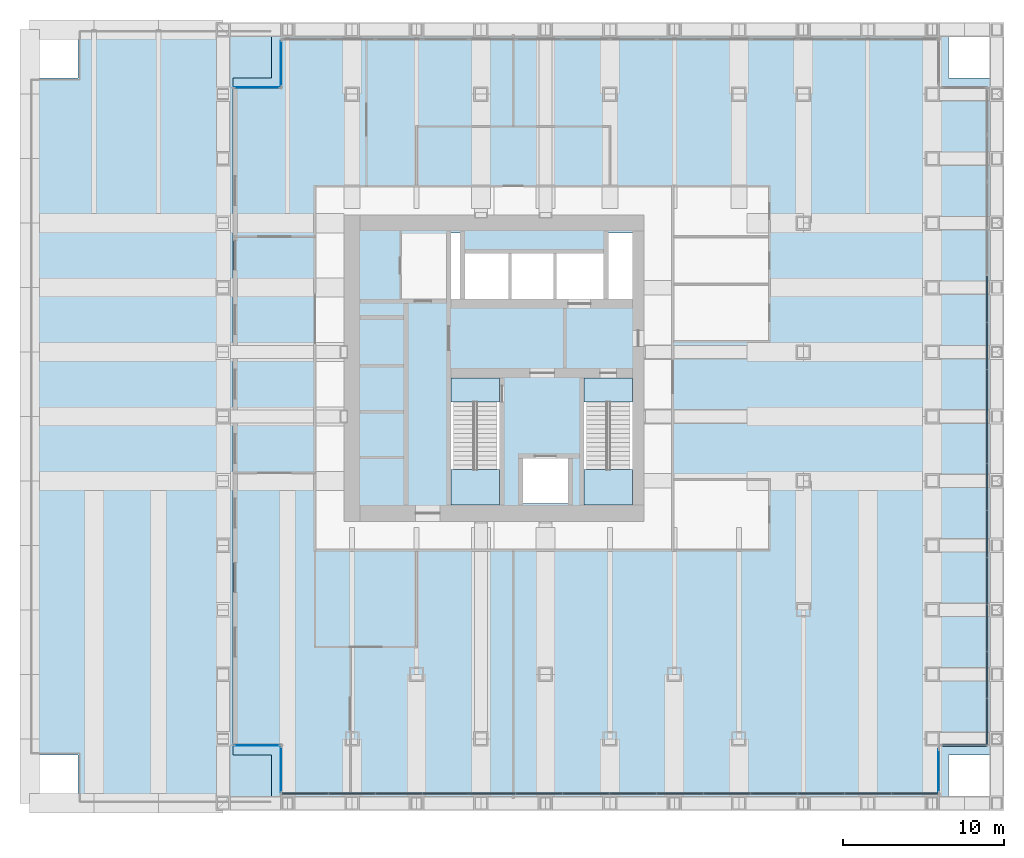
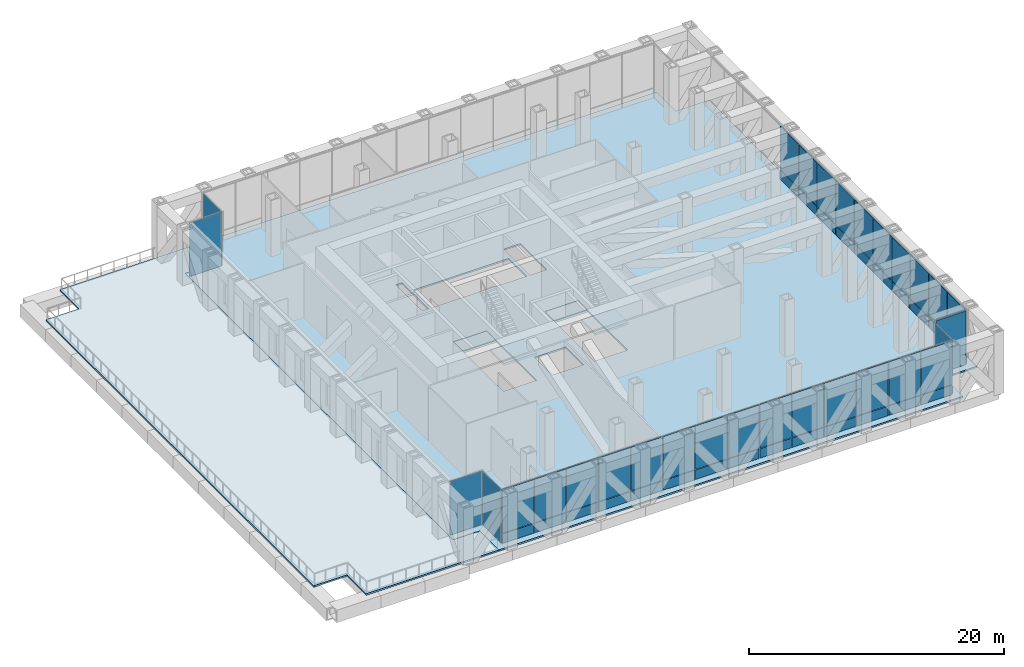
# One storey, part 10 of 14: 54 plates, 6 slabs, 10 elements without a shape of their own.
"""IFC4 building model written with IfcOpenShell, lengths in metres."""

from ifc_helpers import new_model, si_unit, direction, frame, origin, origin_2d, place, context, subcontext, project, spatial, polyline, rectangle, outline, extrude, material, layer, layer_set, type_object, element, aggregate, save


model = new_model("IFC4")

# Units and contexts
model_context = context("Model", 3, precision=1e-05, world=origin(), true_north=direction((0.0, 1.0)))
body_context = subcontext(model_context, "Body", "Model", "MODEL_VIEW")
ifc_project = project(units=[si_unit("LENGTHUNIT", "METRE"), si_unit("AREAUNIT", "SQUARE_METRE"), si_unit("VOLUMEUNIT", "CUBIC_METRE"), si_unit("PLANEANGLEUNIT", "RADIAN"), si_unit("MASSUNIT", "GRAM", prefix="KILO")], contexts=[model_context])

# Site, building, storey
site_placement = place(None, origin())
site = spatial("IfcSite", under=ifc_project, at=site_placement, CompositionType="ELEMENT")
building_placement = place(site_placement, origin())
building = spatial("IfcBuilding", under=site, at=building_placement, Name="Rimbunsela Tower", CompositionType="ELEMENT")
storey_placement = place(building_placement, frame((0.0, 0.0, 71.0)))
storey = spatial("IfcBuildingStorey", under=building, at=storey_placement, Name="L17", CompositionType="ELEMENT", Elevation=71.0)

# Slab
ifc_material_1 = material(Name="Concrete fc' 35 MPa", Category="concrete")
ifc_layer_1 = layer(ifc_material_1, 0.14990234375)
ifc_layer_set_1 = layer_set([ifc_layer_1], Name="Floor slab 150")
slab_type_1 = type_object("IfcSlabType", Name="Floor slab 150", PredefinedType="FLOOR", material=ifc_layer_set_1)
slab_1_placement = place(storey_placement, frame((0.0, 0.0, -0.14990234375)))
element("IfcSlab", 1, at=slab_1_placement, inside=storey, type_object=slab_type_1, Name="Floor slab L17", PredefinedType="FLOOR", context=body_context, shape_type="SweptSolid", body=[
    extrude(outline(polyline([(13.0, 45.0), (10.60009765625, 45.0), (10.60009765625, 3.0), (13.0, 3.0), (13.0, 0.0), (55.0, 0.0), (55.0, 3.0), (58.0, 3.0), (58.0, 45.0), (55.0, 45.0), (55.0, 48.0), (13.0, 48.0), (13.0, 45.0)]), holes=[polyline([(27.14990234375, 26.39990234375), (24.14990234375, 26.39990234375), (24.14990234375, 18.60009765625), (27.14990234375, 18.60009765625), (27.14990234375, 26.39990234375)]), polyline([(24.699951171875, 35.39990234375), (24.14990234375, 35.39990234375), (24.14990234375, 31.300048828125), (24.699951171875, 31.300048828125), (24.699951171875, 35.39990234375)]), polyline([(25.0, 34.10009765625), (25.0, 31.300048828125), (33.60009765625, 31.300048828125), (33.60009765625, 34.10009765625), (25.0, 34.10009765625)]), polyline([(31.39990234375, 21.39990234375), (28.60009765625, 21.39990234375), (28.60009765625, 18.60009765625), (31.39990234375, 18.60009765625), (31.39990234375, 21.39990234375)]), polyline([(35.39990234375, 26.39990234375), (32.39990234375, 26.39990234375), (32.39990234375, 18.60009765625), (35.39990234375, 18.60009765625), (35.39990234375, 26.39990234375)]), polyline([(35.39990234375, 35.39990234375), (33.89990234375, 35.39990234375), (33.89990234375, 31.300048828125), (35.39990234375, 31.300048828125), (35.39990234375, 35.39990234375)])]), origin(), (0.0, 0.0, 1.0), 0.14990234375),
])

# Curtain wall, plate
ifc_material_2 = material(Name="Aluminium curtain wall", Category="aluminium")
curtain_wall_type_1 = type_object("IfcCurtainWallType", Name="Corner glazing", PredefinedType="USERDEFINED", material=ifc_material_2)
curtain_wall_1_placement = place(storey_placement, origin())
curtain_wall_1 = element("IfcCurtainWall", 2, at=curtain_wall_1_placement, inside=storey, type_object=curtain_wall_type_1, Name="Corner glazing L17", ObjectType="CORNER GLAZING", PredefinedType="USERDEFINED")
ifc_material_3 = material(Name="Clear double glazing", Category="glass")
ifc_layer_2 = layer(ifc_material_3, 0.028076171875)
ifc_layer_set_2 = layer_set([ifc_layer_2], Name="Glazed panel clear")
plate_type_1 = type_object("IfcPlateType", Name="Glazed panel clear", PredefinedType="CURTAIN_PANEL", material=ifc_layer_set_2)
plate_1_placement = place(storey_placement, frame((54.39990234375, 2.00244140625, 0.06005859375), z_axis=(0.0, 0.0, 1.0), x_axis=(0.0, 1.0, 0.0)))
plate_1 = element("IfcPlate", 3, at=plate_1_placement, type_object=plate_type_1, Name="CW5 panel 1.1", PredefinedType="CURTAIN_PANEL", context=body_context, shape_type="SweptSolid", body=[
    extrude(rectangle(XDim=2.68505859375, YDim=0.028076171875, at=origin_2d()), origin(), (0.0, 0.0, 1.0), 5.1298828125),
])
aggregate(curtain_wall_1, [plate_1])

curtain_wall_2_placement = place(storey_placement, origin())
curtain_wall_2 = element("IfcCurtainWall", 4, at=curtain_wall_2_placement, inside=storey, type_object=curtain_wall_type_1, Name="Corner glazing L17", ObjectType="CORNER GLAZING", PredefinedType="USERDEFINED")
plate_2_placement = place(storey_placement, frame((13.60009765625, 45.89990234375, 0.06005859375), z_axis=(0.0, 0.0, 1.0), x_axis=(0.0, -1.0, 0.0)))
plate_2 = element("IfcPlate", 5, at=plate_2_placement, type_object=plate_type_1, Name="CW5 panel 1.1", PredefinedType="CURTAIN_PANEL", context=body_context, shape_type="SweptSolid", body=[
    extrude(rectangle(XDim=2.8798828125, YDim=0.028076171875, at=origin_2d()), origin(), (0.0, 0.0, 1.0), 5.1298828125),
])
aggregate(curtain_wall_2, [plate_2])

curtain_wall_3_placement = place(storey_placement, origin())
curtain_wall_3 = element("IfcCurtainWall", 6, at=curtain_wall_3_placement, inside=storey, type_object=curtain_wall_type_1, Name="Corner glazing L17", ObjectType="CORNER GLAZING", PredefinedType="USERDEFINED")
plate_3_placement = place(storey_placement, frame((12.10009765625, 44.39990234375, 0.06005859375), z_axis=(0.0, 0.0, 1.0), x_axis=(-1.0, 0.0, 0.0)))
plate_3 = element("IfcPlate", 7, at=plate_3_placement, type_object=plate_type_1, Name="CW5 panel 1.1", PredefinedType="CURTAIN_PANEL", context=body_context, shape_type="SweptSolid", body=[
    extrude(rectangle(XDim=2.8798828125, YDim=0.028076171875, at=origin_2d()), origin(), (0.0, 0.0, 1.0), 5.1298828125),
])
aggregate(curtain_wall_3, [plate_3])

curtain_wall_4_placement = place(storey_placement, origin())
curtain_wall_4 = element("IfcCurtainWall", 8, at=curtain_wall_4_placement, inside=storey, type_object=curtain_wall_type_1, Name="Corner glazing L17", ObjectType="CORNER GLAZING", PredefinedType="USERDEFINED")
plate_4_placement = place(storey_placement, frame((12.10009765625, 3.60009765625, 0.06005859375), z_axis=(0.0, 0.0, 1.0), x_axis=(1.0, 0.0, 0.0)))
plate_4 = element("IfcPlate", 9, at=plate_4_placement, type_object=plate_type_1, Name="CW5 panel 1.1", PredefinedType="CURTAIN_PANEL", context=body_context, shape_type="SweptSolid", body=[
    extrude(rectangle(XDim=2.8798828125, YDim=0.028076171875, at=origin_2d()), origin(), (0.0, 0.0, 1.0), 5.1298828125),
])
aggregate(curtain_wall_4, [plate_4])

curtain_wall_5_placement = place(storey_placement, origin())
curtain_wall_5 = element("IfcCurtainWall", 10, at=curtain_wall_5_placement, inside=storey, type_object=curtain_wall_type_1, Name="Corner glazing L17", ObjectType="CORNER GLAZING", PredefinedType="USERDEFINED")
plate_5_placement = place(storey_placement, frame((13.60009765625, 2.10009765625, 0.06005859375), z_axis=(0.0, 0.0, 1.0), x_axis=(0.0, -1.0, 0.0)))
plate_5 = element("IfcPlate", 11, at=plate_5_placement, type_object=plate_type_1, Name="CW5 panel 1.1", PredefinedType="CURTAIN_PANEL", context=body_context, shape_type="SweptSolid", body=[
    extrude(rectangle(XDim=2.8798828125, YDim=0.028076171875, at=origin_2d()), origin(), (0.0, 0.0, 1.0), 5.1298828125),
])
aggregate(curtain_wall_5, [plate_5])

ifc_material_4 = material(Name="Aluminium curtain wall", Category="aluminium")
curtain_wall_type_2 = type_object("IfcCurtainWallType", Name="Spandrel wall", PredefinedType="USERDEFINED", material=ifc_material_4)
curtain_wall_6_placement = place(storey_placement, origin())
curtain_wall_6 = element("IfcCurtainWall", 12, at=curtain_wall_6_placement, inside=storey, type_object=curtain_wall_type_2, Name="Spandrel wall L17", ObjectType="SPANDREL WALL", PredefinedType="USERDEFINED")
ifc_material_5 = material(Name="Insulated aluminium spandrel panel", Category="aluminium")
ifc_layer_3 = layer(ifc_material_5, 0.10009765625)
ifc_layer_set_3 = layer_set([ifc_layer_3], Name="Insulated panel 100")
plate_type_2 = type_object("IfcPlateType", Name="Insulated panel 100", PredefinedType="CURTAIN_PANEL", material=ifc_layer_set_3)
plate_6_placement = place(storey_placement, frame((55.99755859375, 3.60009765625, 0.06005859375), z_axis=(0.0, 0.0, 1.0), x_axis=(1.0, 0.0, 0.0)))
plate_6 = element("IfcPlate", 13, at=plate_6_placement, type_object=plate_type_2, Name="CW7 panel 1.1", PredefinedType="CURTAIN_PANEL", context=body_context, shape_type="SweptSolid", body=[
    extrude(rectangle(XDim=2.68505859375, YDim=0.10009765625, at=origin_2d()), origin(), (0.0, 0.0, 1.0), 5.1298828125),
])
aggregate(curtain_wall_6, [plate_6])

# Curtain wall, plates
ifc_material_6 = material(Name="Aluminium curtain wall", Category="aluminium")
curtain_wall_type_3 = type_object("IfcCurtainWallType", Name="Plant floor louvre wall", PredefinedType="USERDEFINED", material=ifc_material_6)
curtain_wall_7_placement = place(storey_placement, origin())
curtain_wall_7 = element("IfcCurtainWall", 14, at=curtain_wall_7_placement, inside=storey, type_object=curtain_wall_type_3, Name="Plant floor louvre wall L17", ObjectType="PLANT FLOOR LOUVRE WALL", PredefinedType="USERDEFINED")
ifc_material_7 = material(Name="Aluminium louvre blades 100 deep", Category="aluminium")
ifc_layer_4 = layer(ifc_material_7, 0.10009765625)
ifc_layer_set_4 = layer_set([ifc_layer_4], Name="Louvre panel 100")
plate_type_3 = type_object("IfcPlateType", Name="Louvre panel 100", PredefinedType="CURTAIN_PANEL", material=ifc_layer_set_4)
plate_7_placement = place(storey_placement, frame((57.39990234375, 5.072021484375, 0.06005859375), z_axis=(0.0, 0.0, 1.0), x_axis=(0.0, 1.0, 0.0)))
plate_7 = element("IfcPlate", 15, at=plate_7_placement, type_object=plate_type_3, Name="CW3 panel 1.1", PredefinedType="CURTAIN_PANEL", context=body_context, shape_type="SweptSolid", body=[
    extrude(rectangle(XDim=2.82421875, YDim=0.10009765625, at=origin_2d()), origin(), (0.0, 0.0, 1.0), 0.909912109375),
])
plate_8_placement = place(storey_placement, frame((57.39990234375, 5.072021484375, 1.0302734375), z_axis=(0.0, 0.0, 1.0), x_axis=(0.0, 1.0, 0.0)))
plate_8 = element("IfcPlate", 16, at=plate_8_placement, type_object=plate_type_3, Name="CW3 panel 1.2", PredefinedType="CURTAIN_PANEL", context=body_context, shape_type="SweptSolid", body=[
    extrude(rectangle(XDim=2.82421875, YDim=0.10009765625, at=origin_2d()), origin(), (0.0, 0.0, 1.0), 4.159912109375),
])
plate_9_placement = place(storey_placement, frame((57.39990234375, 7.971435546875, 0.06005859375), z_axis=(0.0, 0.0, 1.0), x_axis=(0.0, 1.0, 0.0)))
plate_9 = element("IfcPlate", 17, at=plate_9_placement, type_object=plate_type_3, Name="CW3 panel 2.1", PredefinedType="CURTAIN_PANEL", context=body_context, shape_type="SweptSolid", body=[
    extrude(rectangle(XDim=2.854248046875, YDim=0.10009765625, at=origin_2d()), origin(), (0.0, 0.0, 1.0), 0.909912109375),
])
plate_10_placement = place(storey_placement, frame((57.39990234375, 7.971435546875, 1.0302734375), z_axis=(0.0, 0.0, 1.0), x_axis=(0.0, 1.0, 0.0)))
plate_10 = element("IfcPlate", 18, at=plate_10_placement, type_object=plate_type_3, Name="CW3 panel 2.2", PredefinedType="CURTAIN_PANEL", context=body_context, shape_type="SweptSolid", body=[
    extrude(rectangle(XDim=2.854248046875, YDim=0.10009765625, at=origin_2d()), origin(), (0.0, 0.0, 1.0), 4.159912109375),
])
plate_11_placement = place(storey_placement, frame((57.39990234375, 10.8857421875, 0.06005859375), z_axis=(0.0, 0.0, 1.0), x_axis=(0.0, 1.0, 0.0)))
plate_11 = element("IfcPlate", 19, at=plate_11_placement, type_object=plate_type_3, Name="CW3 panel 3.1", PredefinedType="CURTAIN_PANEL", context=body_context, shape_type="SweptSolid", body=[
    extrude(rectangle(XDim=2.854248046875, YDim=0.10009765625, at=origin_2d()), origin(), (0.0, 0.0, 1.0), 0.909912109375),
])
plate_12_placement = place(storey_placement, frame((57.39990234375, 10.8857421875, 1.0302734375), z_axis=(0.0, 0.0, 1.0), x_axis=(0.0, 1.0, 0.0)))
plate_12 = element("IfcPlate", 20, at=plate_12_placement, type_object=plate_type_3, Name="CW3 panel 3.2", PredefinedType="CURTAIN_PANEL", context=body_context, shape_type="SweptSolid", body=[
    extrude(rectangle(XDim=2.854248046875, YDim=0.10009765625, at=origin_2d()), origin(), (0.0, 0.0, 1.0), 4.159912109375),
])
plate_13_placement = place(storey_placement, frame((57.39990234375, 13.800048828125, 0.06005859375), z_axis=(0.0, 0.0, 1.0), x_axis=(0.0, 1.0, 0.0)))
plate_13 = element("IfcPlate", 21, at=plate_13_placement, type_object=plate_type_3, Name="CW3 panel 4.1", PredefinedType="CURTAIN_PANEL", context=body_context, shape_type="SweptSolid", body=[
    extrude(rectangle(XDim=2.854248046875, YDim=0.10009765625, at=origin_2d()), origin(), (0.0, 0.0, 1.0), 0.909912109375),
])
plate_14_placement = place(storey_placement, frame((57.39990234375, 13.800048828125, 1.0302734375), z_axis=(0.0, 0.0, 1.0), x_axis=(0.0, 1.0, 0.0)))
plate_14 = element("IfcPlate", 22, at=plate_14_placement, type_object=plate_type_3, Name="CW3 panel 4.2", PredefinedType="CURTAIN_PANEL", context=body_context, shape_type="SweptSolid", body=[
    extrude(rectangle(XDim=2.854248046875, YDim=0.10009765625, at=origin_2d()), origin(), (0.0, 0.0, 1.0), 4.159912109375),
])
plate_15_placement = place(storey_placement, frame((57.39990234375, 16.71435546875, 0.06005859375), z_axis=(0.0, 0.0, 1.0), x_axis=(0.0, 1.0, 0.0)))
plate_15 = element("IfcPlate", 23, at=plate_15_placement, type_object=plate_type_3, Name="CW3 panel 5.1", PredefinedType="CURTAIN_PANEL", context=body_context, shape_type="SweptSolid", body=[
    extrude(rectangle(XDim=2.854248046875, YDim=0.10009765625, at=origin_2d()), origin(), (0.0, 0.0, 1.0), 0.909912109375),
])
plate_16_placement = place(storey_placement, frame((57.39990234375, 16.71435546875, 1.0302734375), z_axis=(0.0, 0.0, 1.0), x_axis=(0.0, 1.0, 0.0)))
plate_16 = element("IfcPlate", 24, at=plate_16_placement, type_object=plate_type_3, Name="CW3 panel 5.2", PredefinedType="CURTAIN_PANEL", context=body_context, shape_type="SweptSolid", body=[
    extrude(rectangle(XDim=2.854248046875, YDim=0.10009765625, at=origin_2d()), origin(), (0.0, 0.0, 1.0), 4.159912109375),
])
plate_17_placement = place(storey_placement, frame((57.39990234375, 19.628662109375, 0.06005859375), z_axis=(0.0, 0.0, 1.0), x_axis=(0.0, 1.0, 0.0)))
plate_17 = element("IfcPlate", 25, at=plate_17_placement, type_object=plate_type_3, Name="CW3 panel 6.1", PredefinedType="CURTAIN_PANEL", context=body_context, shape_type="SweptSolid", body=[
    extrude(rectangle(XDim=2.854248046875, YDim=0.10009765625, at=origin_2d()), origin(), (0.0, 0.0, 1.0), 0.909912109375),
])
plate_18_placement = place(storey_placement, frame((57.39990234375, 19.628662109375, 1.0302734375), z_axis=(0.0, 0.0, 1.0), x_axis=(0.0, 1.0, 0.0)))
plate_18 = element("IfcPlate", 26, at=plate_18_placement, type_object=plate_type_3, Name="CW3 panel 6.2", PredefinedType="CURTAIN_PANEL", context=body_context, shape_type="SweptSolid", body=[
    extrude(rectangle(XDim=2.854248046875, YDim=0.10009765625, at=origin_2d()), origin(), (0.0, 0.0, 1.0), 4.159912109375),
])
plate_19_placement = place(storey_placement, frame((57.39990234375, 22.54296875, 0.06005859375), z_axis=(0.0, 0.0, 1.0), x_axis=(0.0, 1.0, 0.0)))
plate_19 = element("IfcPlate", 27, at=plate_19_placement, type_object=plate_type_3, Name="CW3 panel 7.1", PredefinedType="CURTAIN_PANEL", context=body_context, shape_type="SweptSolid", body=[
    extrude(rectangle(XDim=2.854248046875, YDim=0.10009765625, at=origin_2d()), origin(), (0.0, 0.0, 1.0), 0.909912109375),
])
plate_20_placement = place(storey_placement, frame((57.39990234375, 22.54296875, 1.0302734375), z_axis=(0.0, 0.0, 1.0), x_axis=(0.0, 1.0, 0.0)))
plate_20 = element("IfcPlate", 28, at=plate_20_placement, type_object=plate_type_3, Name="CW3 panel 7.2", PredefinedType="CURTAIN_PANEL", context=body_context, shape_type="SweptSolid", body=[
    extrude(rectangle(XDim=2.854248046875, YDim=0.10009765625, at=origin_2d()), origin(), (0.0, 0.0, 1.0), 4.159912109375),
])
plate_21_placement = place(storey_placement, frame((57.39990234375, 25.45703125, 0.06005859375), z_axis=(0.0, 0.0, 1.0), x_axis=(0.0, 1.0, 0.0)))
plate_21 = element("IfcPlate", 29, at=plate_21_placement, type_object=plate_type_3, Name="CW3 panel 8.1", PredefinedType="CURTAIN_PANEL", context=body_context, shape_type="SweptSolid", body=[
    extrude(rectangle(XDim=2.854248046875, YDim=0.10009765625, at=origin_2d()), origin(), (0.0, 0.0, 1.0), 0.909912109375),
])
plate_22_placement = place(storey_placement, frame((57.39990234375, 25.45703125, 1.0302734375), z_axis=(0.0, 0.0, 1.0), x_axis=(0.0, 1.0, 0.0)))
plate_22 = element("IfcPlate", 30, at=plate_22_placement, type_object=plate_type_3, Name="CW3 panel 8.2", PredefinedType="CURTAIN_PANEL", context=body_context, shape_type="SweptSolid", body=[
    extrude(rectangle(XDim=2.854248046875, YDim=0.10009765625, at=origin_2d()), origin(), (0.0, 0.0, 1.0), 4.159912109375),
])
plate_23_placement = place(storey_placement, frame((57.39990234375, 28.371337890625, 0.06005859375), z_axis=(0.0, 0.0, 1.0), x_axis=(0.0, 1.0, 0.0)))
plate_23 = element("IfcPlate", 31, at=plate_23_placement, type_object=plate_type_3, Name="CW3 panel 9.1", PredefinedType="CURTAIN_PANEL", context=body_context, shape_type="SweptSolid", body=[
    extrude(rectangle(XDim=2.854248046875, YDim=0.10009765625, at=origin_2d()), origin(), (0.0, 0.0, 1.0), 0.909912109375),
])
plate_24_placement = place(storey_placement, frame((57.39990234375, 28.371337890625, 1.0302734375), z_axis=(0.0, 0.0, 1.0), x_axis=(0.0, 1.0, 0.0)))
plate_24 = element("IfcPlate", 32, at=plate_24_placement, type_object=plate_type_3, Name="CW3 panel 9.2", PredefinedType="CURTAIN_PANEL", context=body_context, shape_type="SweptSolid", body=[
    extrude(rectangle(XDim=2.854248046875, YDim=0.10009765625, at=origin_2d()), origin(), (0.0, 0.0, 1.0), 4.159912109375),
])
plate_25_placement = place(storey_placement, frame((57.39990234375, 31.28564453125, 0.06005859375), z_axis=(0.0, 0.0, 1.0), x_axis=(0.0, 1.0, 0.0)))
plate_25 = element("IfcPlate", 33, at=plate_25_placement, type_object=plate_type_3, Name="CW3 panel 10.1", PredefinedType="CURTAIN_PANEL", context=body_context, shape_type="SweptSolid", body=[
    extrude(rectangle(XDim=2.854248046875, YDim=0.10009765625, at=origin_2d()), origin(), (0.0, 0.0, 1.0), 0.909912109375),
])
plate_26_placement = place(storey_placement, frame((57.39990234375, 31.28564453125, 1.0302734375), z_axis=(0.0, 0.0, 1.0), x_axis=(0.0, 1.0, 0.0)))
plate_26 = element("IfcPlate", 34, at=plate_26_placement, type_object=plate_type_3, Name="CW3 panel 10.2", PredefinedType="CURTAIN_PANEL", context=body_context, shape_type="SweptSolid", body=[
    extrude(rectangle(XDim=2.854248046875, YDim=0.10009765625, at=origin_2d()), origin(), (0.0, 0.0, 1.0), 4.159912109375),
])
aggregate(curtain_wall_7, [plate_7, plate_8, plate_9, plate_10, plate_11, plate_12, plate_13, plate_14, plate_15, plate_16, plate_17, plate_18, plate_19, plate_20, plate_21, plate_22, plate_23, plate_24, plate_25, plate_26])

curtain_wall_8_placement = place(storey_placement, origin())
curtain_wall_8 = element("IfcCurtainWall", 35, at=curtain_wall_8_placement, inside=storey, type_object=curtain_wall_type_3, Name="Plant floor louvre wall L17", ObjectType="PLANT FLOOR LOUVRE WALL", PredefinedType="USERDEFINED")
plate_27_placement = place(storey_placement, frame((15.072021484375, 0.60009765625, 0.06005859375), z_axis=(0.0, 0.0, 1.0), x_axis=(1.0, 0.0, 0.0)))
plate_27 = element("IfcPlate", 36, at=plate_27_placement, type_object=plate_type_3, Name="CW3 panel 1.1", PredefinedType="CURTAIN_PANEL", context=body_context, shape_type="SweptSolid", body=[
    extrude(rectangle(XDim=2.82421875, YDim=0.10009765625, at=origin_2d()), origin(), (0.0, 0.0, 1.0), 0.909912109375),
])
plate_28_placement = place(storey_placement, frame((15.072021484375, 0.60009765625, 1.0302734375), z_axis=(0.0, 0.0, 1.0), x_axis=(1.0, 0.0, 0.0)))
plate_28 = element("IfcPlate", 37, at=plate_28_placement, type_object=plate_type_3, Name="CW3 panel 1.2", PredefinedType="CURTAIN_PANEL", context=body_context, shape_type="SweptSolid", body=[
    extrude(rectangle(XDim=2.82421875, YDim=0.10009765625, at=origin_2d()), origin(), (0.0, 0.0, 1.0), 4.159912109375),
])
plate_29_placement = place(storey_placement, frame((17.971435546875, 0.60009765625, 0.06005859375), z_axis=(0.0, 0.0, 1.0), x_axis=(1.0, 0.0, 0.0)))
plate_29 = element("IfcPlate", 38, at=plate_29_placement, type_object=plate_type_3, Name="CW3 panel 2.1", PredefinedType="CURTAIN_PANEL", context=body_context, shape_type="SweptSolid", body=[
    extrude(rectangle(XDim=2.854248046875, YDim=0.10009765625, at=origin_2d()), origin(), (0.0, 0.0, 1.0), 0.909912109375),
])
plate_30_placement = place(storey_placement, frame((17.971435546875, 0.60009765625, 1.0302734375), z_axis=(0.0, 0.0, 1.0), x_axis=(1.0, 0.0, 0.0)))
plate_30 = element("IfcPlate", 39, at=plate_30_placement, type_object=plate_type_3, Name="CW3 panel 2.2", PredefinedType="CURTAIN_PANEL", context=body_context, shape_type="SweptSolid", body=[
    extrude(rectangle(XDim=2.854248046875, YDim=0.10009765625, at=origin_2d()), origin(), (0.0, 0.0, 1.0), 4.159912109375),
])
plate_31_placement = place(storey_placement, frame((20.8857421875, 0.60009765625, 0.06005859375), z_axis=(0.0, 0.0, 1.0), x_axis=(1.0, 0.0, 0.0)))
plate_31 = element("IfcPlate", 40, at=plate_31_placement, type_object=plate_type_3, Name="CW3 panel 3.1", PredefinedType="CURTAIN_PANEL", context=body_context, shape_type="SweptSolid", body=[
    extrude(rectangle(XDim=2.854248046875, YDim=0.10009765625, at=origin_2d()), origin(), (0.0, 0.0, 1.0), 0.909912109375),
])
plate_32_placement = place(storey_placement, frame((20.8857421875, 0.60009765625, 1.0302734375), z_axis=(0.0, 0.0, 1.0), x_axis=(1.0, 0.0, 0.0)))
plate_32 = element("IfcPlate", 41, at=plate_32_placement, type_object=plate_type_3, Name="CW3 panel 3.2", PredefinedType="CURTAIN_PANEL", context=body_context, shape_type="SweptSolid", body=[
    extrude(rectangle(XDim=2.854248046875, YDim=0.10009765625, at=origin_2d()), origin(), (0.0, 0.0, 1.0), 4.159912109375),
])
plate_33_placement = place(storey_placement, frame((23.800048828125, 0.60009765625, 0.06005859375), z_axis=(0.0, 0.0, 1.0), x_axis=(1.0, 0.0, 0.0)))
plate_33 = element("IfcPlate", 42, at=plate_33_placement, type_object=plate_type_3, Name="CW3 panel 4.1", PredefinedType="CURTAIN_PANEL", context=body_context, shape_type="SweptSolid", body=[
    extrude(rectangle(XDim=2.854248046875, YDim=0.10009765625, at=origin_2d()), origin(), (0.0, 0.0, 1.0), 0.909912109375),
])
plate_34_placement = place(storey_placement, frame((23.800048828125, 0.60009765625, 1.0302734375), z_axis=(0.0, 0.0, 1.0), x_axis=(1.0, 0.0, 0.0)))
plate_34 = element("IfcPlate", 43, at=plate_34_placement, type_object=plate_type_3, Name="CW3 panel 4.2", PredefinedType="CURTAIN_PANEL", context=body_context, shape_type="SweptSolid", body=[
    extrude(rectangle(XDim=2.854248046875, YDim=0.10009765625, at=origin_2d()), origin(), (0.0, 0.0, 1.0), 4.159912109375),
])
plate_35_placement = place(storey_placement, frame((26.71435546875, 0.60009765625, 0.06005859375), z_axis=(0.0, 0.0, 1.0), x_axis=(1.0, 0.0, 0.0)))
plate_35 = element("IfcPlate", 44, at=plate_35_placement, type_object=plate_type_3, Name="CW3 panel 5.1", PredefinedType="CURTAIN_PANEL", context=body_context, shape_type="SweptSolid", body=[
    extrude(rectangle(XDim=2.854248046875, YDim=0.10009765625, at=origin_2d()), origin(), (0.0, 0.0, 1.0), 0.909912109375),
])
plate_36_placement = place(storey_placement, frame((26.71435546875, 0.60009765625, 1.0302734375), z_axis=(0.0, 0.0, 1.0), x_axis=(1.0, 0.0, 0.0)))
plate_36 = element("IfcPlate", 45, at=plate_36_placement, type_object=plate_type_3, Name="CW3 panel 5.2", PredefinedType="CURTAIN_PANEL", context=body_context, shape_type="SweptSolid", body=[
    extrude(rectangle(XDim=2.854248046875, YDim=0.10009765625, at=origin_2d()), origin(), (0.0, 0.0, 1.0), 4.159912109375),
])
plate_37_placement = place(storey_placement, frame((29.628662109375, 0.60009765625, 0.06005859375), z_axis=(0.0, 0.0, 1.0), x_axis=(1.0, 0.0, 0.0)))
plate_37 = element("IfcPlate", 46, at=plate_37_placement, type_object=plate_type_3, Name="CW3 panel 6.1", PredefinedType="CURTAIN_PANEL", context=body_context, shape_type="SweptSolid", body=[
    extrude(rectangle(XDim=2.854248046875, YDim=0.10009765625, at=origin_2d()), origin(), (0.0, 0.0, 1.0), 0.909912109375),
])
plate_38_placement = place(storey_placement, frame((29.628662109375, 0.60009765625, 1.0302734375), z_axis=(0.0, 0.0, 1.0), x_axis=(1.0, 0.0, 0.0)))
plate_38 = element("IfcPlate", 47, at=plate_38_placement, type_object=plate_type_3, Name="CW3 panel 6.2", PredefinedType="CURTAIN_PANEL", context=body_context, shape_type="SweptSolid", body=[
    extrude(rectangle(XDim=2.854248046875, YDim=0.10009765625, at=origin_2d()), origin(), (0.0, 0.0, 1.0), 4.159912109375),
])
plate_39_placement = place(storey_placement, frame((32.54296875, 0.60009765625, 0.06005859375), z_axis=(0.0, 0.0, 1.0), x_axis=(1.0, 0.0, 0.0)))
plate_39 = element("IfcPlate", 48, at=plate_39_placement, type_object=plate_type_3, Name="CW3 panel 7.1", PredefinedType="CURTAIN_PANEL", context=body_context, shape_type="SweptSolid", body=[
    extrude(rectangle(XDim=2.854248046875, YDim=0.10009765625, at=origin_2d()), origin(), (0.0, 0.0, 1.0), 0.909912109375),
])
plate_40_placement = place(storey_placement, frame((32.54296875, 0.60009765625, 1.0302734375), z_axis=(0.0, 0.0, 1.0), x_axis=(1.0, 0.0, 0.0)))
plate_40 = element("IfcPlate", 49, at=plate_40_placement, type_object=plate_type_3, Name="CW3 panel 7.2", PredefinedType="CURTAIN_PANEL", context=body_context, shape_type="SweptSolid", body=[
    extrude(rectangle(XDim=2.854248046875, YDim=0.10009765625, at=origin_2d()), origin(), (0.0, 0.0, 1.0), 4.159912109375),
])
plate_41_placement = place(storey_placement, frame((35.45703125, 0.60009765625, 0.06005859375), z_axis=(0.0, 0.0, 1.0), x_axis=(1.0, 0.0, 0.0)))
plate_41 = element("IfcPlate", 50, at=plate_41_placement, type_object=plate_type_3, Name="CW3 panel 8.1", PredefinedType="CURTAIN_PANEL", context=body_context, shape_type="SweptSolid", body=[
    extrude(rectangle(XDim=2.854248046875, YDim=0.10009765625, at=origin_2d()), origin(), (0.0, 0.0, 1.0), 0.909912109375),
])
plate_42_placement = place(storey_placement, frame((35.45703125, 0.60009765625, 1.0302734375), z_axis=(0.0, 0.0, 1.0), x_axis=(1.0, 0.0, 0.0)))
plate_42 = element("IfcPlate", 51, at=plate_42_placement, type_object=plate_type_3, Name="CW3 panel 8.2", PredefinedType="CURTAIN_PANEL", context=body_context, shape_type="SweptSolid", body=[
    extrude(rectangle(XDim=2.854248046875, YDim=0.10009765625, at=origin_2d()), origin(), (0.0, 0.0, 1.0), 4.159912109375),
])
plate_43_placement = place(storey_placement, frame((38.371337890625, 0.60009765625, 0.06005859375), z_axis=(0.0, 0.0, 1.0), x_axis=(1.0, 0.0, 0.0)))
plate_43 = element("IfcPlate", 52, at=plate_43_placement, type_object=plate_type_3, Name="CW3 panel 9.1", PredefinedType="CURTAIN_PANEL", context=body_context, shape_type="SweptSolid", body=[
    extrude(rectangle(XDim=2.854248046875, YDim=0.10009765625, at=origin_2d()), origin(), (0.0, 0.0, 1.0), 0.909912109375),
])
plate_44_placement = place(storey_placement, frame((38.371337890625, 0.60009765625, 1.0302734375), z_axis=(0.0, 0.0, 1.0), x_axis=(1.0, 0.0, 0.0)))
plate_44 = element("IfcPlate", 53, at=plate_44_placement, type_object=plate_type_3, Name="CW3 panel 9.2", PredefinedType="CURTAIN_PANEL", context=body_context, shape_type="SweptSolid", body=[
    extrude(rectangle(XDim=2.854248046875, YDim=0.10009765625, at=origin_2d()), origin(), (0.0, 0.0, 1.0), 4.159912109375),
])
plate_45_placement = place(storey_placement, frame((41.28564453125, 0.60009765625, 0.06005859375), z_axis=(0.0, 0.0, 1.0), x_axis=(1.0, 0.0, 0.0)))
plate_45 = element("IfcPlate", 54, at=plate_45_placement, type_object=plate_type_3, Name="CW3 panel 10.1", PredefinedType="CURTAIN_PANEL", context=body_context, shape_type="SweptSolid", body=[
    extrude(rectangle(XDim=2.854248046875, YDim=0.10009765625, at=origin_2d()), origin(), (0.0, 0.0, 1.0), 0.909912109375),
])
plate_46_placement = place(storey_placement, frame((41.28564453125, 0.60009765625, 1.0302734375), z_axis=(0.0, 0.0, 1.0), x_axis=(1.0, 0.0, 0.0)))
plate_46 = element("IfcPlate", 55, at=plate_46_placement, type_object=plate_type_3, Name="CW3 panel 10.2", PredefinedType="CURTAIN_PANEL", context=body_context, shape_type="SweptSolid", body=[
    extrude(rectangle(XDim=2.854248046875, YDim=0.10009765625, at=origin_2d()), origin(), (0.0, 0.0, 1.0), 4.159912109375),
])
plate_47_placement = place(storey_placement, frame((44.199951171875, 0.60009765625, 0.06005859375), z_axis=(0.0, 0.0, 1.0), x_axis=(1.0, 0.0, 0.0)))
plate_47 = element("IfcPlate", 56, at=plate_47_placement, type_object=plate_type_3, Name="CW3 panel 11.1", PredefinedType="CURTAIN_PANEL", context=body_context, shape_type="SweptSolid", body=[
    extrude(rectangle(XDim=2.854248046875, YDim=0.10009765625, at=origin_2d()), origin(), (0.0, 0.0, 1.0), 0.909912109375),
])
plate_48_placement = place(storey_placement, frame((44.199951171875, 0.60009765625, 1.0302734375), z_axis=(0.0, 0.0, 1.0), x_axis=(1.0, 0.0, 0.0)))
plate_48 = element("IfcPlate", 57, at=plate_48_placement, type_object=plate_type_3, Name="CW3 panel 11.2", PredefinedType="CURTAIN_PANEL", context=body_context, shape_type="SweptSolid", body=[
    extrude(rectangle(XDim=2.854248046875, YDim=0.10009765625, at=origin_2d()), origin(), (0.0, 0.0, 1.0), 4.159912109375),
])
plate_49_placement = place(storey_placement, frame((47.1142578125, 0.60009765625, 0.06005859375), z_axis=(0.0, 0.0, 1.0), x_axis=(1.0, 0.0, 0.0)))
plate_49 = element("IfcPlate", 58, at=plate_49_placement, type_object=plate_type_3, Name="CW3 panel 12.1", PredefinedType="CURTAIN_PANEL", context=body_context, shape_type="SweptSolid", body=[
    extrude(rectangle(XDim=2.854248046875, YDim=0.10009765625, at=origin_2d()), origin(), (0.0, 0.0, 1.0), 0.909912109375),
])
plate_50_placement = place(storey_placement, frame((47.1142578125, 0.60009765625, 1.0302734375), z_axis=(0.0, 0.0, 1.0), x_axis=(1.0, 0.0, 0.0)))
plate_50 = element("IfcPlate", 59, at=plate_50_placement, type_object=plate_type_3, Name="CW3 panel 12.2", PredefinedType="CURTAIN_PANEL", context=body_context, shape_type="SweptSolid", body=[
    extrude(rectangle(XDim=2.854248046875, YDim=0.10009765625, at=origin_2d()), origin(), (0.0, 0.0, 1.0), 4.159912109375),
])
plate_51_placement = place(storey_placement, frame((50.028564453125, 0.60009765625, 0.06005859375), z_axis=(0.0, 0.0, 1.0), x_axis=(1.0, 0.0, 0.0)))
plate_51 = element("IfcPlate", 60, at=plate_51_placement, type_object=plate_type_3, Name="CW3 panel 13.1", PredefinedType="CURTAIN_PANEL", context=body_context, shape_type="SweptSolid", body=[
    extrude(rectangle(XDim=2.854248046875, YDim=0.10009765625, at=origin_2d()), origin(), (0.0, 0.0, 1.0), 0.909912109375),
])
plate_52_placement = place(storey_placement, frame((50.028564453125, 0.60009765625, 1.0302734375), z_axis=(0.0, 0.0, 1.0), x_axis=(1.0, 0.0, 0.0)))
plate_52 = element("IfcPlate", 61, at=plate_52_placement, type_object=plate_type_3, Name="CW3 panel 13.2", PredefinedType="CURTAIN_PANEL", context=body_context, shape_type="SweptSolid", body=[
    extrude(rectangle(XDim=2.854248046875, YDim=0.10009765625, at=origin_2d()), origin(), (0.0, 0.0, 1.0), 4.159912109375),
])
plate_53_placement = place(storey_placement, frame((52.927978515625, 0.60009765625, 0.06005859375), z_axis=(0.0, 0.0, 1.0), x_axis=(1.0, 0.0, 0.0)))
plate_53 = element("IfcPlate", 62, at=plate_53_placement, type_object=plate_type_3, Name="CW3 panel 14.1", PredefinedType="CURTAIN_PANEL", context=body_context, shape_type="SweptSolid", body=[
    extrude(rectangle(XDim=2.82421875, YDim=0.10009765625, at=origin_2d()), origin(), (0.0, 0.0, 1.0), 0.909912109375),
])
plate_54_placement = place(storey_placement, frame((52.927978515625, 0.60009765625, 1.0302734375), z_axis=(0.0, 0.0, 1.0), x_axis=(1.0, 0.0, 0.0)))
plate_54 = element("IfcPlate", 63, at=plate_54_placement, type_object=plate_type_3, Name="CW3 panel 14.2", PredefinedType="CURTAIN_PANEL", context=body_context, shape_type="SweptSolid", body=[
    extrude(rectangle(XDim=2.82421875, YDim=0.10009765625, at=origin_2d()), origin(), (0.0, 0.0, 1.0), 4.159912109375),
])
aggregate(curtain_wall_8, [plate_27, plate_28, plate_29, plate_30, plate_31, plate_32, plate_33, plate_34, plate_35, plate_36, plate_37, plate_38, plate_39, plate_40, plate_41, plate_42, plate_43, plate_44, plate_45, plate_46, plate_47, plate_48, plate_49, plate_50, plate_51, plate_52, plate_53, plate_54])

# Stair, slabs
ifc_material_8 = material(Name="Concrete fc' 35 MPa", Category="concrete")
stair_type = type_object("IfcStairType", Name="Exit stair 32 risers", PredefinedType="HALF_TURN_STAIR", material=ifc_material_8)
stair_1_placement = place(storey_placement, origin())
stair_1 = element("IfcStair", 64, at=stair_1_placement, inside=storey, type_object=stair_type, Name="Exit stair A L17", PredefinedType="HALF_TURN_STAIR")
ifc_material_9 = material(Name="Concrete fc' 35 MPa", Category="concrete")
ifc_layer_5 = layer(ifc_material_9, 0.199951171875)
ifc_layer_set_5 = layer_set([ifc_layer_5], Name="Stair landing 200")
slab_type_2 = type_object("IfcSlabType", Name="Stair landing 200", PredefinedType="LANDING", material=ifc_layer_set_5)
slab_2_placement = place(storey_placement, frame((0.0, 0.0, -0.199951171875)))
slab_2 = element("IfcSlab", 65, at=slab_2_placement, type_object=slab_type_2, Name="ST-A landing 1", PredefinedType="LANDING", context=body_context, shape_type="SweptSolid", body=[
    extrude(outline(polyline([(24.14990234375, 24.89990234375), (27.14990234375, 24.89990234375), (27.14990234375, 26.39990234375), (24.14990234375, 26.39990234375), (24.14990234375, 24.89990234375)])), origin(), (0.0, 0.0, 1.0), 0.199951171875),
])
slab_3_placement = place(storey_placement, frame((0.0, 0.0, 2.5)))
slab_3 = element("IfcSlab", 66, at=slab_3_placement, type_object=slab_type_2, Name="ST-A landing 2", PredefinedType="LANDING", context=body_context, shape_type="SweptSolid", body=[
    extrude(outline(polyline([(24.14990234375, 18.5), (27.14990234375, 18.5), (27.14990234375, 20.699951171875), (24.14990234375, 20.699951171875), (24.14990234375, 18.5)])), origin(), (0.0, 0.0, 1.0), 0.199951171875),
])
aggregate(stair_1, [slab_2, slab_3])

stair_2_placement = place(storey_placement, origin())
stair_2 = element("IfcStair", 67, at=stair_2_placement, inside=storey, type_object=stair_type, Name="Exit stair B L17", PredefinedType="HALF_TURN_STAIR")
slab_4_placement = place(storey_placement, frame((0.0, 0.0, -0.199951171875)))
slab_4 = element("IfcSlab", 68, at=slab_4_placement, type_object=slab_type_2, Name="ST-B landing 1", PredefinedType="LANDING", context=body_context, shape_type="SweptSolid", body=[
    extrude(outline(polyline([(32.39990234375, 24.89990234375), (35.39990234375, 24.89990234375), (35.39990234375, 26.39990234375), (32.39990234375, 26.39990234375), (32.39990234375, 24.89990234375)])), origin(), (0.0, 0.0, 1.0), 0.199951171875),
])
slab_5_placement = place(storey_placement, frame((0.0, 0.0, 2.5)))
slab_5 = element("IfcSlab", 69, at=slab_5_placement, type_object=slab_type_2, Name="ST-B landing 2", PredefinedType="LANDING", context=body_context, shape_type="SweptSolid", body=[
    extrude(outline(polyline([(32.39990234375, 18.5), (35.39990234375, 18.5), (35.39990234375, 20.699951171875), (32.39990234375, 20.699951171875), (32.39990234375, 18.5)])), origin(), (0.0, 0.0, 1.0), 0.199951171875),
])
aggregate(stair_2, [slab_4, slab_5])

# Slab
ifc_material_10 = material(Name="Concrete fc' 35 MPa", Category="concrete")
ifc_layer_6 = layer(ifc_material_10, 0.14990234375)
ifc_layer_set_6 = layer_set([ifc_layer_6], Name="Terrace slab 150")
slab_type_3 = type_object("IfcSlabType", Name="Terrace slab 150", PredefinedType="ROOF", material=ifc_layer_set_6)
slab_6_placement = place(storey_placement, frame((0.0, 0.0, -0.14990234375)))
element("IfcSlab", 70, at=slab_6_placement, inside=storey, type_object=slab_type_3, Name="Maintenance roof L17", PredefinedType="ROOF", context=body_context, shape_type="SweptSolid", body=[
    extrude(outline(polyline([(1.0, 0.0), (1.0, 3.0), (-2.0, 3.0), (-2.0, 45.0), (1.0, 45.0), (1.0, 48.0), (13.0, 48.0), (13.0, 45.0), (10.60009765625, 45.0), (10.60009765625, 3.0), (13.0, 3.0), (13.0, 0.0), (1.0, 0.0)])), origin(), (0.0, 0.0, 1.0), 0.14990234375),
])

save(model, "model.ifc")
